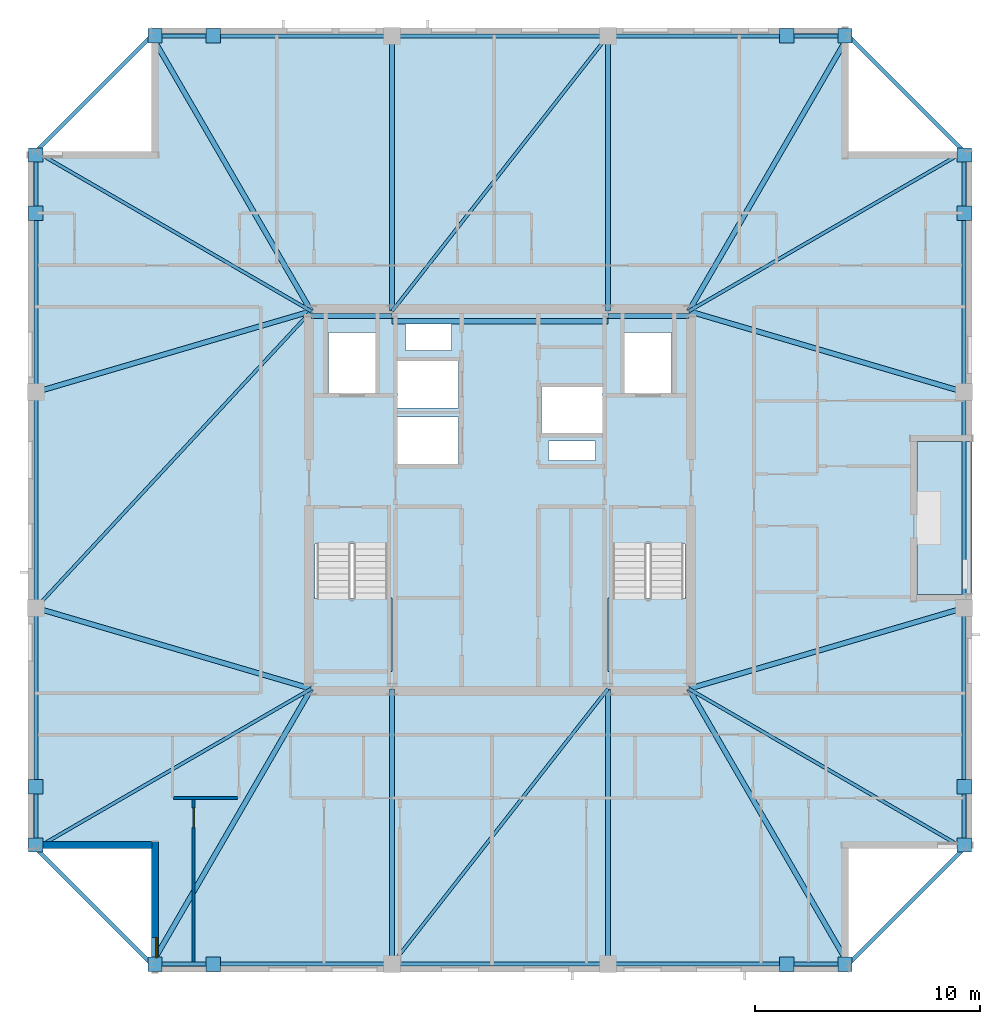
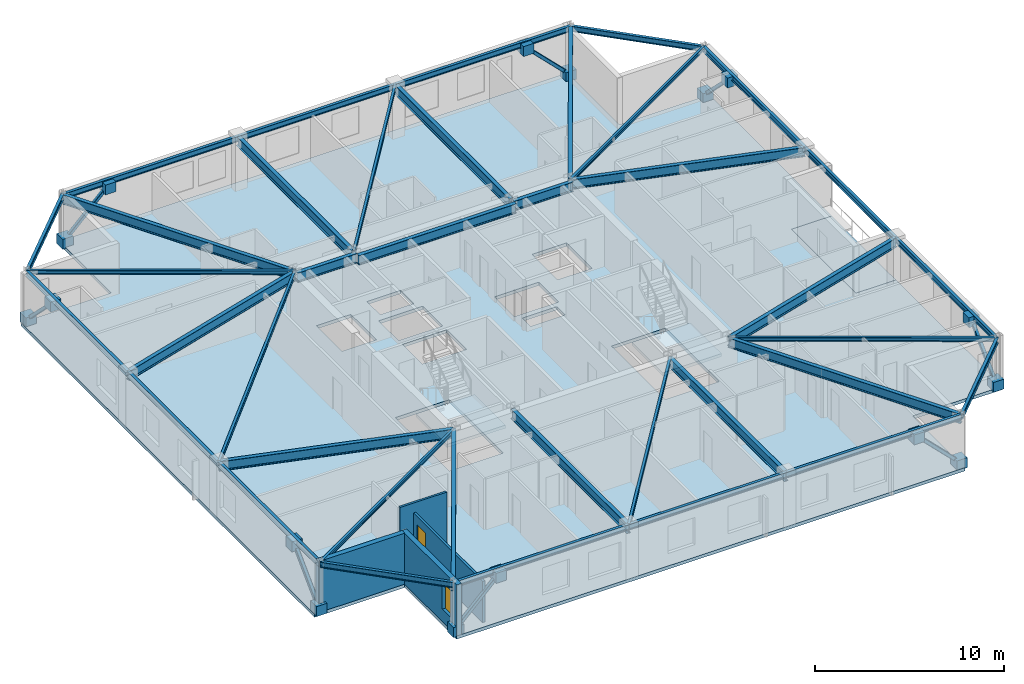
# One storey, part 6 of 14: 38 beams, 16 plates, 8 members, 4 slabs, 4 walls, 1 door, 1 window, 2 openings, 2 elements without a shape of their own.
"""IFC4 building model written with IfcOpenShell, lengths in metres."""

from ifc_helpers import new_model, si_unit, direction, frame, frame_2d, origin, origin_2d, place, context, subcontext, project, spatial, polyline, rectangle, hollow_rectangle, i_section, outline, extrude, material, layer, layer_set, material_profile, profile_set, type_object, element, fill, aggregate, save


model = new_model("IFC4")

# Units and contexts
model_context = context("Model", 3, precision=1e-05, world=origin(), true_north=direction((0.0, 1.0)))
body_context = subcontext(model_context, "Body", "Model", "MODEL_VIEW")
ifc_project = project(units=[si_unit("LENGTHUNIT", "METRE"), si_unit("AREAUNIT", "SQUARE_METRE"), si_unit("VOLUMEUNIT", "CUBIC_METRE"), si_unit("PLANEANGLEUNIT", "RADIAN"), si_unit("MASSUNIT", "GRAM", prefix="KILO")], contexts=[model_context])

# Site, building, storey
site_placement = place(None, origin())
site = spatial("IfcSite", under=ifc_project, at=site_placement, CompositionType="ELEMENT")
building_placement = place(site_placement, origin())
building = spatial("IfcBuilding", under=site, at=building_placement, Name="Cairnveth Concourse Tower", CompositionType="ELEMENT")
storey_placement = place(building_placement, frame((0.0, 0.0, 301.5)))
storey = spatial("IfcBuildingStorey", under=building, at=storey_placement, Name="L83", CompositionType="ELEMENT", Elevation=301.5)

# Beams
ifc_material_1 = material(Name="Steel Grade 350", Category="steel")
ifc_material_profile_1 = material_profile(ifc_material_1, i_section(OverallWidth=0.22802734375, OverallDepth=0.60693359375, WebThickness=0.01123046875, FlangeThickness=0.017333984375, FilletRadius=0.013916015625, at=origin_2d()), Name="610UB113")
ifc_profile_set_1 = profile_set([ifc_material_profile_1], Name="Steel Grade 350")
beam_type_1 = type_object("IfcBeamType", Name="CORE TIE BEAM 610UB113", PredefinedType="T_BEAM", material=ifc_profile_set_1)
for number, where, z_axis, x_axis, name in (
    (1, (43.60009765625, 47.179931640625, 2.986572265625), (1.0, 0.0, 0.0), (0.0, 1.0, 0.0), "Beam CT-N1 L83"),
    (2, (56.800048828125, 47.179931640625, 2.986572265625), (1.0, 0.0, 0.0), (0.0, 1.0, 0.0), "Beam CT-N3 L83"),
):
    element("IfcBeam", number, at=place(storey_placement, frame(where, z_axis=z_axis, x_axis=x_axis)), inside=storey, type_object=beam_type_1, Name=name, PredefinedType="T_BEAM", context=body_context, shape_type="SweptSolid", body=[
        extrude(i_section(OverallWidth=0.22802734375, OverallDepth=0.60693359375, WebThickness=0.01123046875, FlangeThickness=0.017333984375, FilletRadius=0.013916015625, at=origin_2d()), origin(), (0.0, 0.0, 1.0), 3.599853515625),
    ])
beam_1_placement = place(storey_placement, frame((47.199951171875, 46.949951171875, 2.986572265625), z_axis=(1.0, 0.0, 0.0), x_axis=(0.0, 1.0, 0.0)))
element("IfcBeam", 3, at=beam_1_placement, inside=storey, type_object=beam_type_1, Name="Beam CT-N2 L83", PredefinedType="T_BEAM", context=body_context, shape_type="SweptSolid", body=[
    extrude(i_section(OverallWidth=0.22802734375, OverallDepth=0.60693359375, WebThickness=0.01123046875, FlangeThickness=0.017333984375, FilletRadius=0.013916015625, at=origin_2d()), origin(), (0.0, 0.0, 1.0), 9.60009765625),
])
ifc_material_profile_2 = material_profile(ifc_material_1, i_section(OverallWidth=0.14599609375, OverallDepth=0.256103515625, WebThickness=0.00634765625, FlangeThickness=0.010986328125, FilletRadius=0.009033203125, at=origin_2d()), Name="250UB37.3")
ifc_profile_set_2 = profile_set([ifc_material_profile_2], Name="Steel Grade 350")
beam_type_2 = type_object("IfcBeamType", Name="ZONE 4 FLOOR JOIST 250UB37.3", PredefinedType="JOIST", material=ifc_profile_set_2)
for number, where, z_axis, x_axis, name in (
    (4, (31.35009765625, 23.5, 3.162109375), (0.86518141842, 0.501458984584, 0.0), (-0.501458984584, 0.86518141842, 0.0), "Beam FJ-CSW2 L83"),
    (5, (72.64990234375, 23.5, 3.162109375), (-0.86518141842, 0.501458984584, 0.0), (-0.501458984584, -0.86518141842, 0.0), "Beam FJ-CSE2 L83"),
    (6, (72.64990234375, 54.5, 3.162109375), (-0.86518141842, -0.501458984584, 0.0), (0.501458984584, -0.86518141842, 0.0), "Beam FJ-CNE2 L83"),
    (7, (31.35009765625, 54.5, 3.162109375), (0.86518141842, -0.501458984584, 0.0), (0.501458984584, 0.86518141842, 0.0), "Beam FJ-CNW2 L83"),
):
    element("IfcBeam", number, at=place(storey_placement, frame(where, z_axis=z_axis, x_axis=x_axis)), inside=storey, type_object=beam_type_2, Name=name, PredefinedType="JOIST", context=body_context, shape_type="SweptSolid", body=[
        extrude(i_section(OverallWidth=0.14599609375, OverallDepth=0.256103515625, WebThickness=0.00634765625, FlangeThickness=0.010986328125, FilletRadius=0.009033203125, at=origin_2d()), origin(), (0.0, 0.0, 1.0), 14.158935546875),
    ])
for number, where, z_axis, x_axis, name in (
    (8, (47.199951171875, 18.35009765625, 3.162109375), (0.616831762718, 0.787095023807, 0.0), (-0.787095023807, 0.616831762718, 0.0), "Beam FJ-S-M1 L83"),
    (9, (47.199951171875, 47.39990234375, 3.162109375), (0.616831762718, 0.787095023807, 0.0), (-0.787095023807, 0.616831762718, 0.0), "Beam FJ-N-M1 L83"),
):
    element("IfcBeam", number, at=place(storey_placement, frame(where, z_axis=z_axis, x_axis=x_axis)), inside=storey, type_object=beam_type_2, Name=name, PredefinedType="JOIST", context=body_context, shape_type="SweptSolid", body=[
        extrude(i_section(OverallWidth=0.14599609375, OverallDepth=0.256103515625, WebThickness=0.00634765625, FlangeThickness=0.010986328125, FilletRadius=0.009033203125, at=origin_2d()), origin(), (0.0, 0.0, 1.0), 15.5634765625),
    ])
beam_2_placement = place(storey_placement, frame((31.35009765625, 34.199951171875, 3.162109375), z_axis=(0.680239432161, 0.732989982833, 0.0), x_axis=(-0.732989982833, 0.680239432161, 0.0)))
element("IfcBeam", 10, at=beam_2_placement, inside=storey, type_object=beam_type_2, Name="Beam FJ-W-M1 L83", PredefinedType="JOIST", context=body_context, shape_type="SweptSolid", body=[
    extrude(i_section(OverallWidth=0.14599609375, OverallDepth=0.256103515625, WebThickness=0.00634765625, FlangeThickness=0.010986328125, FilletRadius=0.009033203125, at=origin_2d()), origin(), (0.0, 0.0, 1.0), 18.00830078125),
])

# Members
ifc_material_2 = material(Name="Steel C350L0 (350 MPa)", Category="steel")
ifc_material_profile_3 = material_profile(ifc_material_2, hollow_rectangle(XDim=0.199951171875, YDim=0.199951171875, WallThickness=0.012451171875, InnerFilletRadius=0.012939453125, OuterFilletRadius=0.02490234375, at=origin_2d()), Name="200x200x12.5SHS")
ifc_profile_set_3 = profile_set([ifc_material_profile_3], Name="Steel C350L0 (350 MPa)")
member_type = type_object("IfcMemberType", Name="ZONE 4 PIER BRACE 200X200X12.5SHS", PredefinedType="BRACE", material=ifc_profile_set_3)
for number, where, z_axis, x_axis, name in (
    (11, (36.64990234375, 18.35009765625, 0.25), (0.708469186186, 0.0, 0.705741746126), (0.0, 1.0, 0.0), "Structural Brace PB-S1 L83"),
    (12, (67.35009765625, 18.35009765625, 0.25), (-0.708469186186, 0.0, 0.705741746126), (0.0, -1.0, 0.0), "Structural Brace PB-S2 L83"),
    (13, (36.64990234375, 59.64990234375, 0.25), (0.708469186186, 0.0, 0.705741746126), (0.0, 1.0, 0.0), "Structural Brace PB-N1 L83"),
    (14, (67.35009765625, 59.64990234375, 0.25), (-0.708469186186, 0.0, 0.705741746126), (0.0, -1.0, 0.0), "Structural Brace PB-N2 L83"),
    (15, (31.35009765625, 23.64990234375, 0.25), (0.0, 0.708469186186, 0.705741746126), (-1.0, 0.0, 0.0), "Structural Brace PB-W1 L83"),
    (16, (31.35009765625, 54.35009765625, 0.25), (0.0, -0.708469186186, 0.705741746126), (1.0, 0.0, 0.0), "Structural Brace PB-W2 L83"),
    (17, (72.64990234375, 23.64990234375, 0.25), (0.0, 0.708469186186, 0.705741746126), (-1.0, 0.0, 0.0), "Structural Brace PB-E1 L83"),
    (18, (72.64990234375, 54.35009765625, 0.25), (0.0, -0.708469186186, 0.705741746126), (1.0, 0.0, 0.0), "Structural Brace PB-E2 L83"),
):
    element("IfcMember", number, at=place(storey_placement, frame(where, z_axis=z_axis, x_axis=x_axis)), inside=storey, type_object=member_type, Name=name, PredefinedType="BRACE", context=body_context, shape_type="SweptSolid", body=[
        extrude(hollow_rectangle(XDim=0.199951171875, YDim=0.199951171875, WallThickness=0.012451171875, InnerFilletRadius=0.012939453125, OuterFilletRadius=0.02490234375, at=origin_2d()), origin(), (0.0, 0.0, 1.0), 3.669921875),
    ])

# Beams
ifc_material_profile_4 = material_profile(ifc_material_1, i_section(OverallWidth=0.22900390625, OverallDepth=0.612060546875, WebThickness=0.011962890625, FlangeThickness=0.01953125, FilletRadius=0.013916015625, at=origin_2d()), Name="610UB125")
ifc_profile_set_4 = profile_set([ifc_material_profile_4], Name="Steel Grade 350")
beam_type_3 = type_object("IfcBeamType", Name="ZONE 4 RADIAL GIRDER 610UB125", PredefinedType="BEAM", material=ifc_profile_set_4)
for number, where, z_axis, x_axis, name in (
    (19, (47.199951171875, 18.35009765625, 2.98388671875), (0.0, 1.0, 0.0), (-1.0, 0.0, 0.0), "Beam RG-S1 L83"),
    (20, (56.800048828125, 18.35009765625, 2.98388671875), (0.0, 1.0, 0.0), (-1.0, 0.0, 0.0), "Beam RG-S2 L83"),
    (21, (47.199951171875, 47.39990234375, 2.98388671875), (0.0, 1.0, 0.0), (-1.0, 0.0, 0.0), "Beam RG-N1 L83"),
    (22, (56.800048828125, 47.39990234375, 2.98388671875), (0.0, 1.0, 0.0), (-1.0, 0.0, 0.0), "Beam RG-N2 L83"),
):
    element("IfcBeam", number, at=place(storey_placement, frame(where, z_axis=z_axis, x_axis=x_axis)), inside=storey, type_object=beam_type_3, Name=name, PredefinedType="BEAM", context=body_context, shape_type="SweptSolid", body=[
        extrude(i_section(OverallWidth=0.22900390625, OverallDepth=0.612060546875, WebThickness=0.011962890625, FlangeThickness=0.01953125, FilletRadius=0.013916015625, at=origin_2d()), origin(), (0.0, 0.0, 1.0), 12.25),
    ])
for number, where, z_axis, x_axis, name in (
    (23, (31.35009765625, 34.199951171875, 2.98388671875), (0.959430938842, -0.281943741893, 0.0), (0.281943741893, 0.959430938842, 0.0), "Beam RG-W1 L83"),
    (24, (31.35009765625, 43.800048828125, 2.98388671875), (0.959430938842, 0.281943741893, 0.0), (-0.281943741893, 0.959430938842, 0.0), "Beam RG-W2 L83"),
    (25, (60.39990234375, 30.60009765625, 2.98388671875), (0.959430938842, 0.281943741893, 0.0), (-0.281943741893, 0.959430938842, 0.0), "Beam RG-E1 L83"),
    (26, (60.39990234375, 47.39990234375, 2.98388671875), (0.959430938842, -0.281943741893, 0.0), (0.281943741893, 0.959430938842, 0.0), "Beam RG-E2 L83"),
):
    element("IfcBeam", number, at=place(storey_placement, frame(where, z_axis=z_axis, x_axis=x_axis)), inside=storey, type_object=beam_type_3, Name=name, PredefinedType="BEAM", context=body_context, shape_type="SweptSolid", body=[
        extrude(i_section(OverallWidth=0.22900390625, OverallDepth=0.612060546875, WebThickness=0.011962890625, FlangeThickness=0.01953125, FilletRadius=0.013916015625, at=origin_2d()), origin(), (0.0, 0.0, 1.0), 12.76806640625),
    ])
for number, where, z_axis, x_axis, name in (
    (27, (36.5, 18.35009765625, 2.98388671875), (0.501458984584, 0.86518141842, 0.0), (-0.86518141842, 0.501458984584, 0.0), "Beam RG-CSW L83"),
    (28, (67.5, 18.35009765625, 2.98388671875), (-0.501458984584, 0.86518141842, 0.0), (-0.86518141842, -0.501458984584, 0.0), "Beam RG-CSE L83"),
    (29, (67.5, 59.64990234375, 2.98388671875), (-0.501458984584, -0.86518141842, 0.0), (0.86518141842, -0.501458984584, 0.0), "Beam RG-CNE L83"),
    (30, (36.5, 59.64990234375, 2.98388671875), (0.501458984584, -0.86518141842, 0.0), (0.86518141842, 0.501458984584, 0.0), "Beam RG-CNW L83"),
):
    element("IfcBeam", number, at=place(storey_placement, frame(where, z_axis=z_axis, x_axis=x_axis)), inside=storey, type_object=beam_type_3, Name=name, PredefinedType="BEAM", context=body_context, shape_type="SweptSolid", body=[
        extrude(i_section(OverallWidth=0.22900390625, OverallDepth=0.612060546875, WebThickness=0.011962890625, FlangeThickness=0.01953125, FilletRadius=0.013916015625, at=origin_2d()), origin(), (0.0, 0.0, 1.0), 14.158935546875),
    ])
ifc_material_profile_5 = material_profile(ifc_material_1, i_section(OverallWidth=0.172119140625, OverallDepth=0.35888671875, WebThickness=0.008056640625, FlangeThickness=0.012939453125, FilletRadius=0.010986328125, at=origin_2d()), Name="360UB56.7")
ifc_profile_set_5 = profile_set([ifc_material_profile_5], Name="Steel Grade 350")
beam_type_4 = type_object("IfcBeamType", Name="ZONE 4 SPANDREL BEAM 360UB56.7", PredefinedType="SPANDREL", material=ifc_profile_set_5)
beam_3_placement = place(storey_placement, frame((36.5, 18.35009765625, 3.110595703125), z_axis=(1.0, 0.0, 0.0), x_axis=(0.0, 1.0, 0.0)))
element("IfcBeam", 31, at=beam_3_placement, inside=storey, type_object=beam_type_4, Name="Beam SP-S1 L83", PredefinedType="SPANDREL", context=body_context, shape_type="SweptSolid", body=[
    extrude(i_section(OverallWidth=0.172119140625, OverallDepth=0.35888671875, WebThickness=0.008056640625, FlangeThickness=0.012939453125, FilletRadius=0.010986328125, at=origin_2d()), origin(), (0.0, 0.0, 1.0), 10.699951171875),
])
beam_4_placement = place(storey_placement, frame((47.199951171875, 18.35009765625, 3.110595703125), z_axis=(1.0, 0.0, 0.0), x_axis=(0.0, 1.0, 0.0)))
element("IfcBeam", 32, at=beam_4_placement, inside=storey, type_object=beam_type_4, Name="Beam SP-S2 L83", PredefinedType="SPANDREL", context=body_context, shape_type="SweptSolid", body=[
    extrude(i_section(OverallWidth=0.172119140625, OverallDepth=0.35888671875, WebThickness=0.008056640625, FlangeThickness=0.012939453125, FilletRadius=0.010986328125, at=origin_2d()), origin(), (0.0, 0.0, 1.0), 9.60009765625),
])
for number, where, z_axis, x_axis, name in (
    (33, (56.800048828125, 18.35009765625, 3.110595703125), (1.0, 0.0, 0.0), (0.0, 1.0, 0.0), "Beam SP-S3 L83"),
    (34, (36.5, 59.64990234375, 3.110595703125), (1.0, 0.0, 0.0), (0.0, 1.0, 0.0), "Beam SP-N1 L83"),
):
    element("IfcBeam", number, at=place(storey_placement, frame(where, z_axis=z_axis, x_axis=x_axis)), inside=storey, type_object=beam_type_4, Name=name, PredefinedType="SPANDREL", context=body_context, shape_type="SweptSolid", body=[
        extrude(i_section(OverallWidth=0.172119140625, OverallDepth=0.35888671875, WebThickness=0.008056640625, FlangeThickness=0.012939453125, FilletRadius=0.010986328125, at=origin_2d()), origin(), (0.0, 0.0, 1.0), 10.699951171875),
    ])
beam_5_placement = place(storey_placement, frame((47.199951171875, 59.64990234375, 3.110595703125), z_axis=(1.0, 0.0, 0.0), x_axis=(0.0, 1.0, 0.0)))
element("IfcBeam", 35, at=beam_5_placement, inside=storey, type_object=beam_type_4, Name="Beam SP-N2 L83", PredefinedType="SPANDREL", context=body_context, shape_type="SweptSolid", body=[
    extrude(i_section(OverallWidth=0.172119140625, OverallDepth=0.35888671875, WebThickness=0.008056640625, FlangeThickness=0.012939453125, FilletRadius=0.010986328125, at=origin_2d()), origin(), (0.0, 0.0, 1.0), 9.60009765625),
])
for number, where, z_axis, x_axis, name in (
    (36, (56.800048828125, 59.64990234375, 3.110595703125), (1.0, 0.0, 0.0), (0.0, 1.0, 0.0), "Beam SP-N3 L83"),
    (37, (31.35009765625, 23.5, 3.110595703125), (0.0, 1.0, 0.0), (-1.0, 0.0, 0.0), "Beam SP-W1 L83"),
):
    element("IfcBeam", number, at=place(storey_placement, frame(where, z_axis=z_axis, x_axis=x_axis)), inside=storey, type_object=beam_type_4, Name=name, PredefinedType="SPANDREL", context=body_context, shape_type="SweptSolid", body=[
        extrude(i_section(OverallWidth=0.172119140625, OverallDepth=0.35888671875, WebThickness=0.008056640625, FlangeThickness=0.012939453125, FilletRadius=0.010986328125, at=origin_2d()), origin(), (0.0, 0.0, 1.0), 10.699951171875),
    ])
beam_6_placement = place(storey_placement, frame((31.35009765625, 34.199951171875, 3.110595703125), z_axis=(0.0, 1.0, 0.0), x_axis=(-1.0, 0.0, 0.0)))
element("IfcBeam", 38, at=beam_6_placement, inside=storey, type_object=beam_type_4, Name="Beam SP-W2 L83", PredefinedType="SPANDREL", context=body_context, shape_type="SweptSolid", body=[
    extrude(i_section(OverallWidth=0.172119140625, OverallDepth=0.35888671875, WebThickness=0.008056640625, FlangeThickness=0.012939453125, FilletRadius=0.010986328125, at=origin_2d()), origin(), (0.0, 0.0, 1.0), 9.60009765625),
])
for number, where, z_axis, x_axis, name in (
    (39, (31.35009765625, 43.800048828125, 3.110595703125), (0.0, 1.0, 0.0), (-1.0, 0.0, 0.0), "Beam SP-W3 L83"),
    (40, (72.64990234375, 23.5, 3.110595703125), (0.0, 1.0, 0.0), (-1.0, 0.0, 0.0), "Beam SP-E1 L83"),
):
    element("IfcBeam", number, at=place(storey_placement, frame(where, z_axis=z_axis, x_axis=x_axis)), inside=storey, type_object=beam_type_4, Name=name, PredefinedType="SPANDREL", context=body_context, shape_type="SweptSolid", body=[
        extrude(i_section(OverallWidth=0.172119140625, OverallDepth=0.35888671875, WebThickness=0.008056640625, FlangeThickness=0.012939453125, FilletRadius=0.010986328125, at=origin_2d()), origin(), (0.0, 0.0, 1.0), 10.699951171875),
    ])
beam_7_placement = place(storey_placement, frame((72.64990234375, 34.199951171875, 3.110595703125), z_axis=(0.0, 1.0, 0.0), x_axis=(-1.0, 0.0, 0.0)))
element("IfcBeam", 41, at=beam_7_placement, inside=storey, type_object=beam_type_4, Name="Beam SP-E2 L83", PredefinedType="SPANDREL", context=body_context, shape_type="SweptSolid", body=[
    extrude(i_section(OverallWidth=0.172119140625, OverallDepth=0.35888671875, WebThickness=0.008056640625, FlangeThickness=0.012939453125, FilletRadius=0.010986328125, at=origin_2d()), origin(), (0.0, 0.0, 1.0), 9.60009765625),
])
beam_8_placement = place(storey_placement, frame((72.64990234375, 43.800048828125, 3.110595703125), z_axis=(0.0, 1.0, 0.0), x_axis=(-1.0, 0.0, 0.0)))
element("IfcBeam", 42, at=beam_8_placement, inside=storey, type_object=beam_type_4, Name="Beam SP-E3 L83", PredefinedType="SPANDREL", context=body_context, shape_type="SweptSolid", body=[
    extrude(i_section(OverallWidth=0.172119140625, OverallDepth=0.35888671875, WebThickness=0.008056640625, FlangeThickness=0.012939453125, FilletRadius=0.010986328125, at=origin_2d()), origin(), (0.0, 0.0, 1.0), 10.699951171875),
])
for number, where, z_axis, x_axis, name in (
    (43, (31.35009765625, 23.5, 3.110595703125), (0.707106781187, -0.707106781187, 0.0), (0.707106781187, 0.707106781187, 0.0), "Beam SP-SW L83"),
    (44, (67.5, 18.35009765625, 3.110595703125), (0.707106781187, 0.707106781187, 0.0), (-0.707106781187, 0.707106781187, 0.0), "Beam SP-SE L83"),
    (45, (67.5, 59.64990234375, 3.110595703125), (0.707106781187, -0.707106781187, 0.0), (0.707106781187, 0.707106781187, 0.0), "Beam SP-NE L83"),
    (46, (31.35009765625, 54.5, 3.110595703125), (0.707106781187, 0.707106781187, 0.0), (-0.707106781187, 0.707106781187, 0.0), "Beam SP-NW L83"),
):
    element("IfcBeam", number, at=place(storey_placement, frame(where, z_axis=z_axis, x_axis=x_axis)), inside=storey, type_object=beam_type_4, Name=name, PredefinedType="SPANDREL", context=body_context, shape_type="SweptSolid", body=[
        extrude(i_section(OverallWidth=0.172119140625, OverallDepth=0.35888671875, WebThickness=0.008056640625, FlangeThickness=0.012939453125, FilletRadius=0.010986328125, at=origin_2d()), origin(), (0.0, 0.0, 1.0), 7.282958984375),
    ])

# Plates
ifc_layer_1 = layer(ifc_material_1, 0.031982421875)
ifc_layer_set_1 = layer_set([ifc_layer_1], Name="Steel Grade 350")
plate_type = type_object("IfcPlateType", Name="PERIMETER BRACE GUSSET PLATE 32", PredefinedType="USERDEFINED", material=ifc_layer_set_1)
for number, where, z_axis, x_axis, name in (
    (47, (36.64990234375, 18.35009765625, -0.06982421875), (0.0, 0.0, 1.0), (1.0, 0.0, 0.0), "Structural Node Plate 1465 L83"),
    (48, (39.25, 18.35009765625, 2.52001953125), (0.0, 0.0, 1.0), (1.0, 0.0, 0.0), "Structural Node Plate 1466 L83"),
    (49, (67.35009765625, 18.35009765625, -0.06982421875), (0.0, 0.0, 1.0), (1.0, 0.0, 0.0), "Structural Node Plate 1467 L83"),
    (50, (64.75, 18.35009765625, 2.52001953125), (0.0, 0.0, 1.0), (1.0, 0.0, 0.0), "Structural Node Plate 1468 L83"),
    (51, (36.64990234375, 59.64990234375, -0.06982421875), (0.0, 0.0, 1.0), (1.0, 0.0, 0.0), "Structural Node Plate 1469 L83"),
    (52, (39.25, 59.64990234375, 2.52001953125), (0.0, 0.0, 1.0), (1.0, 0.0, 0.0), "Structural Node Plate 1470 L83"),
    (53, (67.35009765625, 59.64990234375, -0.06982421875), (0.0, 0.0, 1.0), (1.0, 0.0, 0.0), "Structural Node Plate 1471 L83"),
    (54, (64.75, 59.64990234375, 2.52001953125), (0.0, 0.0, 1.0), (1.0, 0.0, 0.0), "Structural Node Plate 1472 L83"),
    (55, (31.35009765625, 23.64990234375, -0.06982421875), (0.0, 0.0, 1.0), (1.0, 0.0, 0.0), "Structural Node Plate 1473 L83"),
    (56, (31.35009765625, 26.25, 2.52001953125), (0.0, 0.0, 1.0), (1.0, 0.0, 0.0), "Structural Node Plate 1474 L83"),
    (57, (31.35009765625, 54.35009765625, -0.06982421875), (0.0, 0.0, 1.0), (1.0, 0.0, 0.0), "Structural Node Plate 1475 L83"),
    (58, (31.35009765625, 51.75, 2.52001953125), (0.0, 0.0, 1.0), (1.0, 0.0, 0.0), "Structural Node Plate 1476 L83"),
    (59, (72.64990234375, 23.64990234375, -0.06982421875), (0.0, 0.0, 1.0), (1.0, 0.0, 0.0), "Structural Node Plate 1477 L83"),
    (60, (72.64990234375, 26.25, 2.52001953125), (0.0, 0.0, 1.0), (1.0, 0.0, 0.0), "Structural Node Plate 1478 L83"),
    (61, (72.64990234375, 54.35009765625, -0.06982421875), (0.0, 0.0, 1.0), (1.0, 0.0, 0.0), "Structural Node Plate 1479 L83"),
    (62, (72.64990234375, 51.75, 2.52001953125), (0.0, 0.0, 1.0), (1.0, 0.0, 0.0), "Structural Node Plate 1480 L83"),
):
    element("IfcPlate", number, at=place(storey_placement, frame(where, z_axis=z_axis, x_axis=x_axis)), inside=storey, type_object=plate_type, Name=name, ObjectType="GUSSET PLATE", PredefinedType="USERDEFINED", context=body_context, shape_type="SweptSolid", body=[
        extrude(rectangle(XDim=0.639892578125, YDim=0.639892578125, at=origin_2d()), origin(), (0.0, 0.0, 1.0), 0.639892578125),
    ])

# Slab
ifc_material_3 = material(Name="Concrete N50 (50 MPa)", Category="concrete")
ifc_layer_2 = layer(ifc_material_3, 0.18994140625)
ifc_layer_set_2 = layer_set([ifc_layer_2], Name="Concrete N50 (50 MPa)")
slab_type_1 = type_object("IfcSlabType", Name="SPIRAL OUTDOOR TERRACE SLAB 190", PredefinedType="FLOOR", material=ifc_layer_set_2)
slab_1_placement = place(storey_placement, frame((0.0, 0.0, -0.18994140625)))
element("IfcSlab", 63, at=slab_1_placement, inside=storey, type_object=slab_type_1, Name="Spiral Terrace Slab L83", PredefinedType="FLOOR", context=body_context, shape_type="SweptSolid", body=[
    extrude(outline(polyline([(70.550048828125, 34.800048828125), (73.0, 34.800048828125), (73.0, 41.60009765625), (70.550048828125, 41.60009765625), (70.550048828125, 34.800048828125)])), origin(), (0.0, 0.0, 1.0), 0.18994140625),
])

# Stair, slab
ifc_material_4 = material(Name="Precast concrete N50 (50 MPa)", Category="concrete")
stair_type = type_object("IfcStairType", Name="CORE DOG-LEG FIRE STAIR 1500", PredefinedType="HALF_TURN_STAIR", material=ifc_material_4)
stair_1_placement = place(storey_placement, origin())
stair_1 = element("IfcStair", 64, at=stair_1_placement, inside=storey, type_object=stair_type, Name="L83 Fire-Isolated Stair ST-1", PredefinedType="HALF_TURN_STAIR")
ifc_layer_3 = layer(ifc_material_3, 0.199951171875)
ifc_layer_set_3 = layer_set([ifc_layer_3], Name="Concrete N50 (50 MPa)")
slab_type_2 = type_object("IfcSlabType", Name="STAIR HALF LANDING SLAB 200", PredefinedType="LANDING", material=ifc_layer_set_3)
slab_2_placement = place(storey_placement, frame((0.0, 0.0, 1.550048828125)))
slab_2 = element("IfcSlab", 65, at=slab_2_placement, type_object=slab_type_2, Name="ST-1 landing 1", PredefinedType="LANDING", context=body_context, shape_type="SweptSolid", body=[
    extrude(outline(polyline([(43.6201171875, 34.639892578125), (43.6201171875, 31.3701171875), (47.199951171875, 31.3701171875), (47.199951171875, 34.639892578125), (43.6201171875, 34.639892578125)])), origin(), (0.0, 0.0, 1.0), 0.199951171875),
])
aggregate(stair_1, [slab_2])

stair_2_placement = place(storey_placement, origin())
stair_2 = element("IfcStair", 66, at=stair_2_placement, inside=storey, type_object=stair_type, Name="L83 Fire-Isolated Stair ST-2", PredefinedType="HALF_TURN_STAIR")
slab_3_placement = place(storey_placement, frame((0.0, 0.0, 1.550048828125)))
slab_3 = element("IfcSlab", 67, at=slab_3_placement, type_object=slab_type_2, Name="ST-2 landing 1", PredefinedType="LANDING", context=body_context, shape_type="SweptSolid", body=[
    extrude(outline(polyline([(56.800048828125, 34.639892578125), (56.800048828125, 31.3701171875), (60.3798828125, 31.3701171875), (60.3798828125, 34.639892578125), (56.800048828125, 34.639892578125)])), origin(), (0.0, 0.0, 1.0), 0.199951171875),
])
aggregate(stair_2, [slab_3])

# Slab
ifc_layer_4 = layer(ifc_material_3, 0.2099609375)
ifc_layer_set_4 = layer_set([ifc_layer_4], Name="Concrete N50 (50 MPa)")
slab_type_3 = type_object("IfcSlabType", Name="UPPER TOWER COMPOSITE SLAB 210", PredefinedType="FLOOR", material=ifc_layer_set_4)
slab_4_placement = place(storey_placement, frame((0.0, 0.0, -0.2099609375)))
element("IfcSlab", 68, at=slab_4_placement, inside=storey, type_object=slab_type_3, Name="Tower Floor Slab L83", PredefinedType="FLOOR", context=body_context, shape_type="SweptSolid", body=[
    extrude(outline(polyline([(73.0, 34.800048828125), (70.550048828125, 34.800048828125), (70.550048828125, 41.60009765625), (73.0, 41.60009765625), (73.0, 54.5), (67.5, 54.5), (67.5, 60.0), (36.5, 60.0), (36.5, 54.5), (31.0, 54.5), (31.0, 23.5), (36.5, 23.5), (36.5, 18.0), (67.5, 18.0), (67.5, 23.5), (73.0, 23.5), (73.0, 34.800048828125)]), holes=[polyline([(43.760009765625, 31.360107421875), (47.06005859375, 31.360107421875), (47.06005859375, 37.0400390625), (43.760009765625, 37.0400390625), (43.760009765625, 31.360107421875)]), polyline([(56.93994140625, 31.360107421875), (60.239990234375, 31.360107421875), (60.239990234375, 37.0400390625), (56.93994140625, 37.0400390625), (56.93994140625, 31.360107421875)]), polyline([(44.3701171875, 43.75), (46.469970703125, 43.75), (46.469970703125, 46.449951171875), (44.3701171875, 46.449951171875), (44.3701171875, 43.75)]), polyline([(57.530029296875, 43.75), (59.6298828125, 43.75), (59.6298828125, 46.449951171875), (57.530029296875, 46.449951171875), (57.530029296875, 43.75)]), polyline([(47.449951171875, 40.60009765625), (50.14990234375, 40.60009765625), (50.14990234375, 42.699951171875), (47.449951171875, 42.699951171875), (47.449951171875, 40.60009765625)]), polyline([(47.449951171875, 43.10009765625), (50.14990234375, 43.10009765625), (50.14990234375, 45.199951171875), (47.449951171875, 45.199951171875), (47.449951171875, 43.10009765625)]), polyline([(53.85009765625, 41.949951171875), (56.550048828125, 41.949951171875), (56.550048828125, 44.050048828125), (53.85009765625, 44.050048828125), (53.85009765625, 41.949951171875)]), polyline([(47.800048828125, 45.64990234375), (49.85009765625, 45.64990234375), (49.85009765625, 47.050048828125), (47.800048828125, 47.050048828125), (47.800048828125, 45.64990234375)]), polyline([(54.14990234375, 40.75), (56.25, 40.75), (56.25, 41.6201171875), (54.14990234375, 41.6201171875), (54.14990234375, 40.75)])]), origin(), (0.0, 0.0, 1.0), 0.2099609375),
])

# Wall, opening, door
ifc_material_5 = material(Name="Gypsum Plasterboard Partition", Category="gypsum")
ifc_layer_5 = layer(ifc_material_5, 0.139892578125)
ifc_layer_set_5 = layer_set([ifc_layer_5], Name="Gypsum Plasterboard Partition")
wall_type_1 = type_object("IfcWallType", Name="GYPSUM STUD PARTITION 140", PredefinedType="PARTITIONING", material=ifc_layer_set_5)
wall_1_placement = place(storey_placement, frame((38.3701171875, 18.3798828125, 0.0), z_axis=(0.0, 0.0, 1.0), x_axis=(0.0, 1.0, 0.0)))
wall_1 = element("IfcWall", 69, at=wall_1_placement, inside=storey, type_object=wall_type_1, Name="Interior Wall IW-L83-050", PredefinedType="PARTITIONING", context=body_context, shape_type="SweptSolid", body=[
    extrude(rectangle(XDim=7.30517578125, YDim=0.139892578125, at=frame_2d((3.652587890625, 0.0))), origin(), (0.0, 0.0, 1.0), 2.653076171875),
])
opening_1_placement = place(wall_1_placement, frame((6.044921875, 0.0, 0.0)))
opening_1 = element("IfcOpeningElement", 70, at=opening_1_placement, cuts=wall_1, Name="Opening ID18", PredefinedType="OPENING", context=body_context, shape_type="SweptSolid", body=[
    extrude(rectangle(XDim=0.8798828125, YDim=2.10009765625, at=frame_2d((0.43994140625, 1.050048828125))), frame((0.0, 0.079833984375, 0.0), z_axis=(0.0, -1.0, 0.0), x_axis=(1.0, 0.0, 0.0)), (0.0, 0.0, 1.0), 0.159912109375),
])
ifc_material_6 = material(Name="Solid Core Hardwood Timber Leaf", Category="wood")
door_type = type_object("IfcDoorType", Name="INTERIOR SINGLE DOOR 880X2100", OperationType="NOTDEFINED", PredefinedType="DOOR", material=ifc_material_6)
door_placement = place(opening_1_placement, origin())
door = element("IfcDoor", 71, at=door_placement, inside=storey, type_object=door_type, Name="L83PS1 Master Bedroom Door", OperationType="SINGLE_SWING_RIGHT", OverallHeight=2.10009765625, OverallWidth=0.8798828125, PredefinedType="DOOR", context=body_context, shape_type="SweptSolid", body=[
    extrude(rectangle(XDim=0.8798828125, YDim=2.10009765625, at=frame_2d((0.43994140625, 1.050048828125))), frame((0.0, 0.02490234375, 0.0), z_axis=(0.0, -1.0, 0.0), x_axis=(1.0, 0.0, 0.0)), (0.0, 0.0, 1.0), 0.050048828125),
])
fill(opening_1, door)

# Wall
ifc_layer_6 = layer(ifc_material_5, 0.1298828125)
ifc_layer_set_6 = layer_set([ifc_layer_6], Name="Gypsum Plasterboard Partition")
wall_type_2 = type_object("IfcWallType", Name="WET AREA PARTITION 140", PredefinedType="PLUMBINGWALL", material=ifc_layer_set_6)
wall_2_placement = place(storey_placement, frame((37.481201171875, 25.735107421875, 0.0), z_axis=(0.0, 0.0, 1.0), x_axis=(1.0, 0.0, 0.0)))
element("IfcWall", 72, at=wall_2_placement, inside=storey, type_object=wall_type_2, Name="Interior Wall IW-L83-046", PredefinedType="PLUMBINGWALL", context=body_context, shape_type="SweptSolid", body=[
    extrude(rectangle(XDim=2.85009765625, YDim=0.1298828125, at=frame_2d((1.425048828125, 0.0))), origin(), (0.0, 0.0, 1.0), 3.2900390625),
])

# Wall, opening, window
ifc_material_7 = material(Name="Hawthorn Red-Ochre Fired Clay Brick Masonry", Category="masonry")
ifc_layer_7 = layer(ifc_material_7, 0.300048828125)
ifc_layer_set_7 = layer_set([ifc_layer_7], Name="Hawthorn Red-Ochre Fired Clay Brick Masonry")
wall_type_3 = type_object("IfcWallType", Name="ZONE 4 BRICK PIER SPANDREL WALL 300", PredefinedType="SOLIDWALL", material=ifc_layer_set_7)
wall_3_placement = place(storey_placement, frame((36.64990234375, 18.0, 0.0), z_axis=(0.0, 0.0, 1.0), x_axis=(0.0, 1.0, 0.0)))
wall_3 = element("IfcWall", 73, at=wall_3_placement, inside=storey, type_object=wall_type_3, Name="Exterior Wall EW-L83-S04", PredefinedType="SOLIDWALL", context=body_context, shape_type="SweptSolid", body=[
    extrude(rectangle(XDim=5.800048828125, YDim=0.300048828125, at=frame_2d((2.89990234375, 0.0))), origin(), (0.0, 0.0, 1.0), 3.2900390625),
])
opening_2_placement = place(wall_3_placement, frame((0.6298828125, 0.0, 0.800048828125)))
opening_2 = element("IfcOpeningElement", 74, at=opening_2_placement, cuts=wall_3, Name="Opening W13", PredefinedType="OPENING", context=body_context, shape_type="SweptSolid", body=[
    extrude(rectangle(XDim=0.89990234375, YDim=1.75, at=frame_2d((0.449951171875, 0.875))), frame((0.0, 0.159912109375, 0.0), z_axis=(0.0, -1.0, 0.0), x_axis=(1.0, 0.0, 0.0)), (0.0, 0.0, 1.0), 0.320068359375),
])
ifc_material_8 = material(Name="Double Glazed Low-E Clear Glass", Category="glass")
window_type = type_object("IfcWindowType", Name="DEEP-SET BEDROOM LANCET WINDOW 900X1750", PartitioningType="DOUBLE_PANEL_VERTICAL", PredefinedType="WINDOW", material=ifc_material_8)
window_placement = place(opening_2_placement, origin())
window = element("IfcWindow", 75, at=window_placement, inside=storey, type_object=window_type, Name="Dwelling Lancet Window L83-DW1", OverallHeight=1.75, OverallWidth=0.89990234375, PartitioningType="SINGLE_PANEL", PredefinedType="WINDOW", context=body_context, shape_type="SweptSolid", body=[
    extrude(rectangle(XDim=0.89990234375, YDim=1.75, at=frame_2d((0.449951171875, 0.875))), frame((0.0, -0.0400390625, 0.0), z_axis=(0.0, -1.0, 0.0), x_axis=(1.0, 0.0, 0.0)), (0.0, 0.0, 1.0), 0.06005859375),
])
fill(opening_2, window)

# Wall
wall_4_placement = place(storey_placement, frame((36.52197265625, 23.64990234375, 0.0), z_axis=(0.0, 0.0, 1.0), x_axis=(-1.0, 0.0, 0.0)))
element("IfcWall", 76, at=wall_4_placement, inside=storey, type_object=wall_type_3, Name="Exterior Wall EW-L83-S05", PredefinedType="SOLIDWALL", context=body_context, shape_type="SweptSolid", body=[
    extrude(rectangle(XDim=5.243896484375, YDim=0.300048828125, at=frame_2d((2.6220703125, 0.0))), origin(), (0.0, 0.0, 1.0), 3.2900390625),
])

save(model, "model.ifc")
